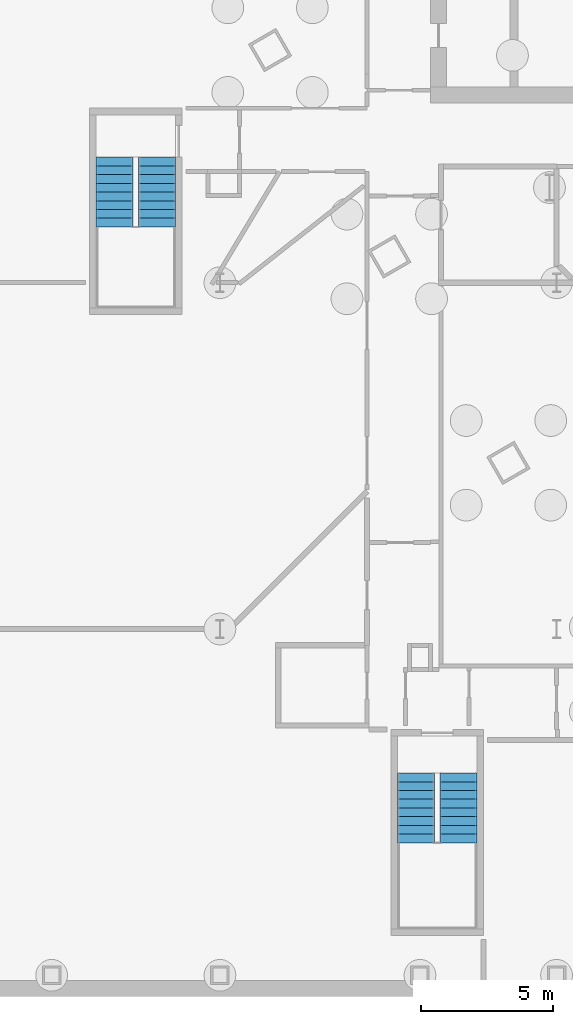
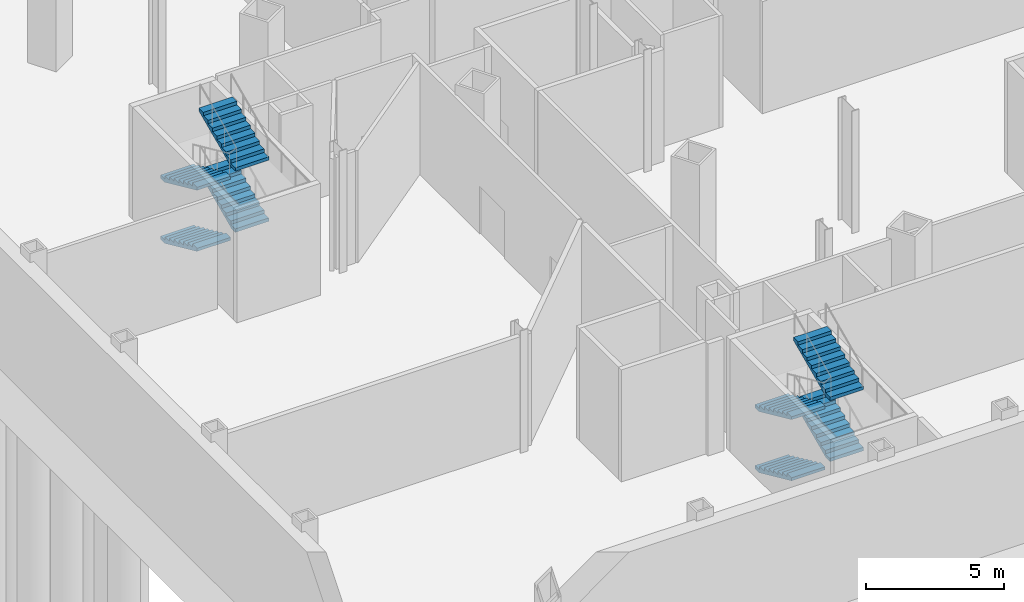
# One storey, part 13 of 19: 8 stair flights, 2 elements without a shape of their own.
"""IFC4 building model written with IfcOpenShell, lengths in metres."""

from ifc_helpers import new_model, si_unit, direction, frame, origin, place, context, subcontext, project, spatial, polygons, material, type_object, element, aggregate, save


model = new_model("IFC4")

# Units and contexts
model_context = context("Model", 3, precision=1e-05, world=origin(), true_north=direction((0.0, 1.0)))
body_context = subcontext(model_context, "Body", "Model", "MODEL_VIEW")
ifc_project = project(units=[si_unit("LENGTHUNIT", "METRE"), si_unit("AREAUNIT", "SQUARE_METRE"), si_unit("VOLUMEUNIT", "CUBIC_METRE"), si_unit("PLANEANGLEUNIT", "RADIAN"), si_unit("MASSUNIT", "GRAM", prefix="KILO")], contexts=[model_context])

# Site, building, storey
site_placement = place(None, origin())
site = spatial("IfcSite", under=ifc_project, at=site_placement, CompositionType="ELEMENT")
building_placement = place(site_placement, origin())
building = spatial("IfcBuilding", under=site, at=building_placement, Name="Njiva Tower", CompositionType="ELEMENT")
storey_placement = place(building_placement, frame((0.0, 0.0, -16.8)))
storey = spatial("IfcBuildingStorey", under=building, at=storey_placement, Name="B3", CompositionType="ELEMENT", Elevation=-16.8)

# Stair, stair flights
ifc_material = material(Name="Concrete C40/50", Category="concrete")
stair_type = type_object("IfcStairType", Name="ST2 Exit stair 1400", PredefinedType="HALF_TURN_STAIR", material=ifc_material)
stair_1_placement = place(storey_placement, origin())
stair_1 = element("IfcStair", 1, at=stair_1_placement, inside=storey, type_object=stair_type, Name="Stair D basement", PredefinedType="DOUBLE_RETURN_STAIR")
stair_flight_type = type_object("IfcStairFlightType", Name="FL2 Stair flight 1400", PredefinedType="STRAIGHT", material=ifc_material)
stair_flight_1_placement = place(storey_placement, frame((-18.05, -25.35, 0.0), z_axis=(0.0, 0.0, 1.0), x_axis=(0.0, -1.0, 0.0)))
stair_flight_1 = element("IfcStairFlight", 2, at=stair_flight_1_placement, type_object=stair_flight_type, Name="ST-DB flight 1", NumberOfRisers=9, NumberOfTreads=8, PredefinedType="STRAIGHT", RiserHeight=0.15, TreadLength=0.33, context=body_context, shape_type="Tessellation", body=[
    polygons([(0.0, 0.7, 0.0), (0.0, 0.35, 0.0), (0.0, 0.0, 0.0), (0.0, -0.35, 0.0), (0.0, -0.7, 0.0), (0.0, 0.7, 0.15), (0.0, 0.35, 0.15), (0.0, 0.0, 0.15), (0.0, -0.35, 0.15), (0.0, -0.7, 0.15), (0.33, 0.7, 0.15), (0.33, 0.35, 0.15), (0.33, 0.0, 0.15), (0.33, -0.35, 0.15), (0.33, -0.7, 0.15), (0.33, 0.7, 0.3), (0.33, 0.35, 0.3), (0.33, 0.0, 0.3), (0.33, -0.35, 0.3), (0.33, -0.7, 0.3), (0.66, 0.7, 0.3), (0.66, 0.35, 0.3), (0.66, 0.0, 0.3), (0.66, -0.35, 0.3), (0.66, -0.7, 0.3), (0.66, 0.7, 0.45), (0.66, 0.35, 0.45), (0.66, 0.0, 0.45), (0.66, -0.35, 0.45), (0.66, -0.7, 0.45), (0.99, 0.7, 0.45), (0.99, 0.35, 0.45), (0.99, 0.0, 0.45), (0.99, -0.35, 0.45), (0.99, -0.7, 0.45), (0.99, 0.7, 0.6), (0.99, 0.35, 0.6), (0.99, 0.0, 0.6), (0.99, -0.35, 0.6), (0.99, -0.7, 0.6), (1.32, 0.7, 0.6), (1.32, 0.35, 0.6), (1.32, 0.0, 0.6), (1.32, -0.35, 0.6), (1.32, -0.7, 0.6), (1.32, 0.7, 0.75), (1.32, 0.35, 0.75), (1.32, 0.0, 0.75), (1.32, -0.35, 0.75), (1.32, -0.7, 0.75), (1.65, 0.7, 0.75), (1.65, 0.35, 0.75), (1.65, 0.0, 0.75), (1.65, -0.35, 0.75), (1.65, -0.7, 0.75), (1.65, 0.7, 0.9), (1.65, 0.35, 0.9), (1.65, 0.0, 0.9), (1.65, -0.35, 0.9), (1.65, -0.7, 0.9), (1.98, 0.7, 0.9), (1.98, 0.35, 0.9), (1.98, 0.0, 0.9), (1.98, -0.35, 0.9), (1.98, -0.7, 0.9), (1.98, 0.7, 1.05), (1.98, 0.35, 1.05), (1.98, 0.0, 1.05), (1.98, -0.35, 1.05), (1.98, -0.7, 1.05), (2.31, 0.7, 1.05), (2.31, 0.35, 1.05), (2.31, 0.0, 1.05), (2.31, -0.35, 1.05), (2.31, -0.7, 1.05), (2.31, 0.7, 1.2), (2.31, 0.35, 1.2), (2.31, 0.0, 1.2), (2.31, -0.35, 1.2), (2.31, -0.7, 1.2), (2.64, 0.7, 1.2), (2.64, 0.35, 1.2), (2.64, 0.0, 1.2), (2.64, -0.35, 1.2), (2.64, -0.7, 1.2), (2.64, 0.7, 1.0682), (2.64, 0.35, 1.0682), (2.64, 0.0, 1.0682), (2.64, -0.35, 1.0682), (2.64, -0.7, 1.0682), (0.29, 0.7, 0.0), (0.29, 0.35, 0.0), (0.29, 0.0, 0.0), (0.29, -0.35, 0.0), (0.29, -0.7, 0.0)], [[[1, 6, 11, 16, 21, 26, 31, 36, 41, 46, 51, 56, 61, 66, 71, 76, 81, 86, 91]], [[95, 90, 85, 80, 75, 70, 65, 60, 55, 50, 45, 40, 35, 30, 25, 20, 15, 10, 5]], [[6, 1, 2, 7]], [[7, 2, 3, 8]], [[8, 3, 4, 9]], [[9, 4, 5, 10]], [[11, 6, 7, 12]], [[12, 7, 8, 13]], [[13, 8, 9, 14]], [[14, 9, 10, 15]], [[16, 11, 12, 17]], [[17, 12, 13, 18]], [[18, 13, 14, 19]], [[19, 14, 15, 20]], [[21, 16, 17, 22]], [[22, 17, 18, 23]], [[23, 18, 19, 24]], [[24, 19, 20, 25]], [[26, 21, 22, 27]], [[27, 22, 23, 28]], [[28, 23, 24, 29]], [[29, 24, 25, 30]], [[31, 26, 27, 32]], [[32, 27, 28, 33]], [[33, 28, 29, 34]], [[34, 29, 30, 35]], [[36, 31, 32, 37]], [[37, 32, 33, 38]], [[38, 33, 34, 39]], [[39, 34, 35, 40]], [[41, 36, 37, 42]], [[42, 37, 38, 43]], [[43, 38, 39, 44]], [[44, 39, 40, 45]], [[46, 41, 42, 47]], [[47, 42, 43, 48]], [[48, 43, 44, 49]], [[49, 44, 45, 50]], [[51, 46, 47, 52]], [[52, 47, 48, 53]], [[53, 48, 49, 54]], [[54, 49, 50, 55]], [[56, 51, 52, 57]], [[57, 52, 53, 58]], [[58, 53, 54, 59]], [[59, 54, 55, 60]], [[61, 56, 57, 62]], [[62, 57, 58, 63]], [[63, 58, 59, 64]], [[64, 59, 60, 65]], [[66, 61, 62, 67]], [[67, 62, 63, 68]], [[68, 63, 64, 69]], [[69, 64, 65, 70]], [[71, 66, 67, 72]], [[72, 67, 68, 73]], [[73, 68, 69, 74]], [[74, 69, 70, 75]], [[76, 71, 72, 77]], [[77, 72, 73, 78]], [[78, 73, 74, 79]], [[79, 74, 75, 80]], [[81, 76, 77, 82]], [[82, 77, 78, 83]], [[83, 78, 79, 84]], [[84, 79, 80, 85]], [[86, 81, 82, 87]], [[87, 82, 83, 88]], [[88, 83, 84, 89]], [[89, 84, 85, 90]], [[91, 86, 87, 92]], [[92, 87, 88, 93]], [[93, 88, 89, 94]], [[94, 89, 90, 95]], [[1, 91, 92, 2]], [[2, 92, 93, 3]], [[3, 93, 94, 4]], [[4, 94, 95, 5]]], closed=True),
])
stair_flight_2_placement = place(storey_placement, frame((-16.45, -27.99, 1.35), z_axis=(0.0, 0.0, 1.0), x_axis=(0.0, 1.0, 0.0)))
stair_flight_2 = element("IfcStairFlight", 3, at=stair_flight_2_placement, type_object=stair_flight_type, Name="ST-DB flight 2", NumberOfRisers=9, NumberOfTreads=8, PredefinedType="STRAIGHT", RiserHeight=0.15, TreadLength=0.33, context=body_context, shape_type="Tessellation", body=[
    polygons([(0.0, 0.7, 0.0), (0.0, 0.35, 0.0), (0.0, 0.0, 0.0), (0.0, -0.35, 0.0), (0.0, -0.7, 0.0), (0.0, 0.7, 0.15), (0.0, 0.35, 0.15), (0.0, 0.0, 0.15), (0.0, -0.35, 0.15), (0.0, -0.7, 0.15), (0.33, 0.7, 0.15), (0.33, 0.35, 0.15), (0.33, 0.0, 0.15), (0.33, -0.35, 0.15), (0.33, -0.7, 0.15), (0.33, 0.7, 0.3), (0.33, 0.35, 0.3), (0.33, 0.0, 0.3), (0.33, -0.35, 0.3), (0.33, -0.7, 0.3), (0.66, 0.7, 0.3), (0.66, 0.35, 0.3), (0.66, 0.0, 0.3), (0.66, -0.35, 0.3), (0.66, -0.7, 0.3), (0.66, 0.7, 0.45), (0.66, 0.35, 0.45), (0.66, 0.0, 0.45), (0.66, -0.35, 0.45), (0.66, -0.7, 0.45), (0.99, 0.7, 0.45), (0.99, 0.35, 0.45), (0.99, 0.0, 0.45), (0.99, -0.35, 0.45), (0.99, -0.7, 0.45), (0.99, 0.7, 0.6), (0.99, 0.35, 0.6), (0.99, 0.0, 0.6), (0.99, -0.35, 0.6), (0.99, -0.7, 0.6), (1.32, 0.7, 0.6), (1.32, 0.35, 0.6), (1.32, 0.0, 0.6), (1.32, -0.35, 0.6), (1.32, -0.7, 0.6), (1.32, 0.7, 0.75), (1.32, 0.35, 0.75), (1.32, 0.0, 0.75), (1.32, -0.35, 0.75), (1.32, -0.7, 0.75), (1.65, 0.7, 0.75), (1.65, 0.35, 0.75), (1.65, 0.0, 0.75), (1.65, -0.35, 0.75), (1.65, -0.7, 0.75), (1.65, 0.7, 0.9), (1.65, 0.35, 0.9), (1.65, 0.0, 0.9), (1.65, -0.35, 0.9), (1.65, -0.7, 0.9), (1.98, 0.7, 0.9), (1.98, 0.35, 0.9), (1.98, 0.0, 0.9), (1.98, -0.35, 0.9), (1.98, -0.7, 0.9), (1.98, 0.7, 1.05), (1.98, 0.35, 1.05), (1.98, 0.0, 1.05), (1.98, -0.35, 1.05), (1.98, -0.7, 1.05), (2.31, 0.7, 1.05), (2.31, 0.35, 1.05), (2.31, 0.0, 1.05), (2.31, -0.35, 1.05), (2.31, -0.7, 1.05), (2.31, 0.7, 1.2), (2.31, 0.35, 1.2), (2.31, 0.0, 1.2), (2.31, -0.35, 1.2), (2.31, -0.7, 1.2), (2.64, 0.7, 1.2), (2.64, 0.35, 1.2), (2.64, 0.0, 1.2), (2.64, -0.35, 1.2), (2.64, -0.7, 1.2), (2.64, 0.7, 1.0682), (2.64, 0.35, 1.0682), (2.64, 0.0, 1.0682), (2.64, -0.35, 1.0682), (2.64, -0.7, 1.0682), (0.29, 0.7, 0.0), (0.29, 0.35, 0.0), (0.29, 0.0, 0.0), (0.29, -0.35, 0.0), (0.29, -0.7, 0.0)], [[[1, 6, 11, 16, 21, 26, 31, 36, 41, 46, 51, 56, 61, 66, 71, 76, 81, 86, 91]], [[95, 90, 85, 80, 75, 70, 65, 60, 55, 50, 45, 40, 35, 30, 25, 20, 15, 10, 5]], [[6, 1, 2, 7]], [[7, 2, 3, 8]], [[8, 3, 4, 9]], [[9, 4, 5, 10]], [[11, 6, 7, 12]], [[12, 7, 8, 13]], [[13, 8, 9, 14]], [[14, 9, 10, 15]], [[16, 11, 12, 17]], [[17, 12, 13, 18]], [[18, 13, 14, 19]], [[19, 14, 15, 20]], [[21, 16, 17, 22]], [[22, 17, 18, 23]], [[23, 18, 19, 24]], [[24, 19, 20, 25]], [[26, 21, 22, 27]], [[27, 22, 23, 28]], [[28, 23, 24, 29]], [[29, 24, 25, 30]], [[31, 26, 27, 32]], [[32, 27, 28, 33]], [[33, 28, 29, 34]], [[34, 29, 30, 35]], [[36, 31, 32, 37]], [[37, 32, 33, 38]], [[38, 33, 34, 39]], [[39, 34, 35, 40]], [[41, 36, 37, 42]], [[42, 37, 38, 43]], [[43, 38, 39, 44]], [[44, 39, 40, 45]], [[46, 41, 42, 47]], [[47, 42, 43, 48]], [[48, 43, 44, 49]], [[49, 44, 45, 50]], [[51, 46, 47, 52]], [[52, 47, 48, 53]], [[53, 48, 49, 54]], [[54, 49, 50, 55]], [[56, 51, 52, 57]], [[57, 52, 53, 58]], [[58, 53, 54, 59]], [[59, 54, 55, 60]], [[61, 56, 57, 62]], [[62, 57, 58, 63]], [[63, 58, 59, 64]], [[64, 59, 60, 65]], [[66, 61, 62, 67]], [[67, 62, 63, 68]], [[68, 63, 64, 69]], [[69, 64, 65, 70]], [[71, 66, 67, 72]], [[72, 67, 68, 73]], [[73, 68, 69, 74]], [[74, 69, 70, 75]], [[76, 71, 72, 77]], [[77, 72, 73, 78]], [[78, 73, 74, 79]], [[79, 74, 75, 80]], [[81, 76, 77, 82]], [[82, 77, 78, 83]], [[83, 78, 79, 84]], [[84, 79, 80, 85]], [[86, 81, 82, 87]], [[87, 82, 83, 88]], [[88, 83, 84, 89]], [[89, 84, 85, 90]], [[91, 86, 87, 92]], [[92, 87, 88, 93]], [[93, 88, 89, 94]], [[94, 89, 90, 95]], [[1, 91, 92, 2]], [[2, 92, 93, 3]], [[3, 93, 94, 4]], [[4, 94, 95, 5]]], closed=True),
])
stair_flight_3_placement = place(storey_placement, frame((-18.05, -25.35, 2.7), z_axis=(0.0, 0.0, 1.0), x_axis=(0.0, -1.0, 0.0)))
stair_flight_3 = element("IfcStairFlight", 4, at=stair_flight_3_placement, type_object=stair_flight_type, Name="ST-DB flight 3", NumberOfRisers=9, NumberOfTreads=8, PredefinedType="STRAIGHT", RiserHeight=0.15, TreadLength=0.33, context=body_context, shape_type="Tessellation", body=[
    polygons([(0.0, 0.7, 0.0), (0.0, 0.35, 0.0), (0.0, 0.0, 0.0), (0.0, -0.35, 0.0), (0.0, -0.7, 0.0), (0.0, 0.7, 0.15), (0.0, 0.35, 0.15), (0.0, 0.0, 0.15), (0.0, -0.35, 0.15), (0.0, -0.7, 0.15), (0.33, 0.7, 0.15), (0.33, 0.35, 0.15), (0.33, 0.0, 0.15), (0.33, -0.35, 0.15), (0.33, -0.7, 0.15), (0.33, 0.7, 0.3), (0.33, 0.35, 0.3), (0.33, 0.0, 0.3), (0.33, -0.35, 0.3), (0.33, -0.7, 0.3), (0.66, 0.7, 0.3), (0.66, 0.35, 0.3), (0.66, 0.0, 0.3), (0.66, -0.35, 0.3), (0.66, -0.7, 0.3), (0.66, 0.7, 0.45), (0.66, 0.35, 0.45), (0.66, 0.0, 0.45), (0.66, -0.35, 0.45), (0.66, -0.7, 0.45), (0.99, 0.7, 0.45), (0.99, 0.35, 0.45), (0.99, 0.0, 0.45), (0.99, -0.35, 0.45), (0.99, -0.7, 0.45), (0.99, 0.7, 0.6), (0.99, 0.35, 0.6), (0.99, 0.0, 0.6), (0.99, -0.35, 0.6), (0.99, -0.7, 0.6), (1.32, 0.7, 0.6), (1.32, 0.35, 0.6), (1.32, 0.0, 0.6), (1.32, -0.35, 0.6), (1.32, -0.7, 0.6), (1.32, 0.7, 0.75), (1.32, 0.35, 0.75), (1.32, 0.0, 0.75), (1.32, -0.35, 0.75), (1.32, -0.7, 0.75), (1.65, 0.7, 0.75), (1.65, 0.35, 0.75), (1.65, 0.0, 0.75), (1.65, -0.35, 0.75), (1.65, -0.7, 0.75), (1.65, 0.7, 0.9), (1.65, 0.35, 0.9), (1.65, 0.0, 0.9), (1.65, -0.35, 0.9), (1.65, -0.7, 0.9), (1.98, 0.7, 0.9), (1.98, 0.35, 0.9), (1.98, 0.0, 0.9), (1.98, -0.35, 0.9), (1.98, -0.7, 0.9), (1.98, 0.7, 1.05), (1.98, 0.35, 1.05), (1.98, 0.0, 1.05), (1.98, -0.35, 1.05), (1.98, -0.7, 1.05), (2.31, 0.7, 1.05), (2.31, 0.35, 1.05), (2.31, 0.0, 1.05), (2.31, -0.35, 1.05), (2.31, -0.7, 1.05), (2.31, 0.7, 1.2), (2.31, 0.35, 1.2), (2.31, 0.0, 1.2), (2.31, -0.35, 1.2), (2.31, -0.7, 1.2), (2.64, 0.7, 1.2), (2.64, 0.35, 1.2), (2.64, 0.0, 1.2), (2.64, -0.35, 1.2), (2.64, -0.7, 1.2), (2.64, 0.7, 1.0682), (2.64, 0.35, 1.0682), (2.64, 0.0, 1.0682), (2.64, -0.35, 1.0682), (2.64, -0.7, 1.0682), (0.29, 0.7, 0.0), (0.29, 0.35, 0.0), (0.29, 0.0, 0.0), (0.29, -0.35, 0.0), (0.29, -0.7, 0.0)], [[[1, 6, 11, 16, 21, 26, 31, 36, 41, 46, 51, 56, 61, 66, 71, 76, 81, 86, 91]], [[95, 90, 85, 80, 75, 70, 65, 60, 55, 50, 45, 40, 35, 30, 25, 20, 15, 10, 5]], [[6, 1, 2, 7]], [[7, 2, 3, 8]], [[8, 3, 4, 9]], [[9, 4, 5, 10]], [[11, 6, 7, 12]], [[12, 7, 8, 13]], [[13, 8, 9, 14]], [[14, 9, 10, 15]], [[16, 11, 12, 17]], [[17, 12, 13, 18]], [[18, 13, 14, 19]], [[19, 14, 15, 20]], [[21, 16, 17, 22]], [[22, 17, 18, 23]], [[23, 18, 19, 24]], [[24, 19, 20, 25]], [[26, 21, 22, 27]], [[27, 22, 23, 28]], [[28, 23, 24, 29]], [[29, 24, 25, 30]], [[31, 26, 27, 32]], [[32, 27, 28, 33]], [[33, 28, 29, 34]], [[34, 29, 30, 35]], [[36, 31, 32, 37]], [[37, 32, 33, 38]], [[38, 33, 34, 39]], [[39, 34, 35, 40]], [[41, 36, 37, 42]], [[42, 37, 38, 43]], [[43, 38, 39, 44]], [[44, 39, 40, 45]], [[46, 41, 42, 47]], [[47, 42, 43, 48]], [[48, 43, 44, 49]], [[49, 44, 45, 50]], [[51, 46, 47, 52]], [[52, 47, 48, 53]], [[53, 48, 49, 54]], [[54, 49, 50, 55]], [[56, 51, 52, 57]], [[57, 52, 53, 58]], [[58, 53, 54, 59]], [[59, 54, 55, 60]], [[61, 56, 57, 62]], [[62, 57, 58, 63]], [[63, 58, 59, 64]], [[64, 59, 60, 65]], [[66, 61, 62, 67]], [[67, 62, 63, 68]], [[68, 63, 64, 69]], [[69, 64, 65, 70]], [[71, 66, 67, 72]], [[72, 67, 68, 73]], [[73, 68, 69, 74]], [[74, 69, 70, 75]], [[76, 71, 72, 77]], [[77, 72, 73, 78]], [[78, 73, 74, 79]], [[79, 74, 75, 80]], [[81, 76, 77, 82]], [[82, 77, 78, 83]], [[83, 78, 79, 84]], [[84, 79, 80, 85]], [[86, 81, 82, 87]], [[87, 82, 83, 88]], [[88, 83, 84, 89]], [[89, 84, 85, 90]], [[91, 86, 87, 92]], [[92, 87, 88, 93]], [[93, 88, 89, 94]], [[94, 89, 90, 95]], [[1, 91, 92, 2]], [[2, 92, 93, 3]], [[3, 93, 94, 4]], [[4, 94, 95, 5]]], closed=True),
])
stair_flight_4_placement = place(storey_placement, frame((-16.45, -27.99, 4.05), z_axis=(0.0, 0.0, 1.0), x_axis=(0.0, 1.0, 0.0)))
stair_flight_4 = element("IfcStairFlight", 5, at=stair_flight_4_placement, type_object=stair_flight_type, Name="ST-DB flight 4", NumberOfRisers=9, NumberOfTreads=8, PredefinedType="STRAIGHT", RiserHeight=0.15, TreadLength=0.33, context=body_context, shape_type="Tessellation", body=[
    polygons([(0.0, 0.7, 0.0), (0.0, 0.35, 0.0), (0.0, 0.0, 0.0), (0.0, -0.35, 0.0), (0.0, -0.7, 0.0), (0.0, 0.7, 0.15), (0.0, 0.35, 0.15), (0.0, 0.0, 0.15), (0.0, -0.35, 0.15), (0.0, -0.7, 0.15), (0.33, 0.7, 0.15), (0.33, 0.35, 0.15), (0.33, 0.0, 0.15), (0.33, -0.35, 0.15), (0.33, -0.7, 0.15), (0.33, 0.7, 0.3), (0.33, 0.35, 0.3), (0.33, 0.0, 0.3), (0.33, -0.35, 0.3), (0.33, -0.7, 0.3), (0.66, 0.7, 0.3), (0.66, 0.35, 0.3), (0.66, 0.0, 0.3), (0.66, -0.35, 0.3), (0.66, -0.7, 0.3), (0.66, 0.7, 0.45), (0.66, 0.35, 0.45), (0.66, 0.0, 0.45), (0.66, -0.35, 0.45), (0.66, -0.7, 0.45), (0.99, 0.7, 0.45), (0.99, 0.35, 0.45), (0.99, 0.0, 0.45), (0.99, -0.35, 0.45), (0.99, -0.7, 0.45), (0.99, 0.7, 0.6), (0.99, 0.35, 0.6), (0.99, 0.0, 0.6), (0.99, -0.35, 0.6), (0.99, -0.7, 0.6), (1.32, 0.7, 0.6), (1.32, 0.35, 0.6), (1.32, 0.0, 0.6), (1.32, -0.35, 0.6), (1.32, -0.7, 0.6), (1.32, 0.7, 0.75), (1.32, 0.35, 0.75), (1.32, 0.0, 0.75), (1.32, -0.35, 0.75), (1.32, -0.7, 0.75), (1.65, 0.7, 0.75), (1.65, 0.35, 0.75), (1.65, 0.0, 0.75), (1.65, -0.35, 0.75), (1.65, -0.7, 0.75), (1.65, 0.7, 0.9), (1.65, 0.35, 0.9), (1.65, 0.0, 0.9), (1.65, -0.35, 0.9), (1.65, -0.7, 0.9), (1.98, 0.7, 0.9), (1.98, 0.35, 0.9), (1.98, 0.0, 0.9), (1.98, -0.35, 0.9), (1.98, -0.7, 0.9), (1.98, 0.7, 1.05), (1.98, 0.35, 1.05), (1.98, 0.0, 1.05), (1.98, -0.35, 1.05), (1.98, -0.7, 1.05), (2.31, 0.7, 1.05), (2.31, 0.35, 1.05), (2.31, 0.0, 1.05), (2.31, -0.35, 1.05), (2.31, -0.7, 1.05), (2.31, 0.7, 1.2), (2.31, 0.35, 1.2), (2.31, 0.0, 1.2), (2.31, -0.35, 1.2), (2.31, -0.7, 1.2), (2.64, 0.7, 1.2), (2.64, 0.35, 1.2), (2.64, 0.0, 1.2), (2.64, -0.35, 1.2), (2.64, -0.7, 1.2), (2.64, 0.7, 1.0682), (2.64, 0.35, 1.0682), (2.64, 0.0, 1.0682), (2.64, -0.35, 1.0682), (2.64, -0.7, 1.0682), (0.29, 0.7, 0.0), (0.29, 0.35, 0.0), (0.29, 0.0, 0.0), (0.29, -0.35, 0.0), (0.29, -0.7, 0.0)], [[[1, 6, 11, 16, 21, 26, 31, 36, 41, 46, 51, 56, 61, 66, 71, 76, 81, 86, 91]], [[95, 90, 85, 80, 75, 70, 65, 60, 55, 50, 45, 40, 35, 30, 25, 20, 15, 10, 5]], [[6, 1, 2, 7]], [[7, 2, 3, 8]], [[8, 3, 4, 9]], [[9, 4, 5, 10]], [[11, 6, 7, 12]], [[12, 7, 8, 13]], [[13, 8, 9, 14]], [[14, 9, 10, 15]], [[16, 11, 12, 17]], [[17, 12, 13, 18]], [[18, 13, 14, 19]], [[19, 14, 15, 20]], [[21, 16, 17, 22]], [[22, 17, 18, 23]], [[23, 18, 19, 24]], [[24, 19, 20, 25]], [[26, 21, 22, 27]], [[27, 22, 23, 28]], [[28, 23, 24, 29]], [[29, 24, 25, 30]], [[31, 26, 27, 32]], [[32, 27, 28, 33]], [[33, 28, 29, 34]], [[34, 29, 30, 35]], [[36, 31, 32, 37]], [[37, 32, 33, 38]], [[38, 33, 34, 39]], [[39, 34, 35, 40]], [[41, 36, 37, 42]], [[42, 37, 38, 43]], [[43, 38, 39, 44]], [[44, 39, 40, 45]], [[46, 41, 42, 47]], [[47, 42, 43, 48]], [[48, 43, 44, 49]], [[49, 44, 45, 50]], [[51, 46, 47, 52]], [[52, 47, 48, 53]], [[53, 48, 49, 54]], [[54, 49, 50, 55]], [[56, 51, 52, 57]], [[57, 52, 53, 58]], [[58, 53, 54, 59]], [[59, 54, 55, 60]], [[61, 56, 57, 62]], [[62, 57, 58, 63]], [[63, 58, 59, 64]], [[64, 59, 60, 65]], [[66, 61, 62, 67]], [[67, 62, 63, 68]], [[68, 63, 64, 69]], [[69, 64, 65, 70]], [[71, 66, 67, 72]], [[72, 67, 68, 73]], [[73, 68, 69, 74]], [[74, 69, 70, 75]], [[76, 71, 72, 77]], [[77, 72, 73, 78]], [[78, 73, 74, 79]], [[79, 74, 75, 80]], [[81, 76, 77, 82]], [[82, 77, 78, 83]], [[83, 78, 79, 84]], [[84, 79, 80, 85]], [[86, 81, 82, 87]], [[87, 82, 83, 88]], [[88, 83, 84, 89]], [[89, 84, 85, 90]], [[91, 86, 87, 92]], [[92, 87, 88, 93]], [[93, 88, 89, 94]], [[94, 89, 90, 95]], [[1, 91, 92, 2]], [[2, 92, 93, 3]], [[3, 93, 94, 4]], [[4, 94, 95, 5]]], closed=True),
])
aggregate(stair_1, [stair_flight_1, stair_flight_2, stair_flight_3, stair_flight_4])

stair_2_placement = place(storey_placement, origin())
stair_2 = element("IfcStair", 6, at=stair_2_placement, inside=storey, type_object=stair_type, Name="Stair F basement", PredefinedType="DOUBLE_RETURN_STAIR")
stair_flight_5_placement = place(storey_placement, frame((-29.45, -2.05, 0.0), z_axis=(0.0, 0.0, 1.0), x_axis=(0.0, -1.0, 0.0)))
stair_flight_5 = element("IfcStairFlight", 7, at=stair_flight_5_placement, type_object=stair_flight_type, Name="ST-FB flight 1", NumberOfRisers=9, NumberOfTreads=8, PredefinedType="STRAIGHT", RiserHeight=0.15, TreadLength=0.33, context=body_context, shape_type="Tessellation", body=[
    polygons([(0.0, 0.7, 0.0), (0.0, 0.35, 0.0), (0.0, 0.0, 0.0), (0.0, -0.35, 0.0), (0.0, -0.7, 0.0), (0.0, 0.7, 0.15), (0.0, 0.35, 0.15), (0.0, 0.0, 0.15), (0.0, -0.35, 0.15), (0.0, -0.7, 0.15), (0.33, 0.7, 0.15), (0.33, 0.35, 0.15), (0.33, 0.0, 0.15), (0.33, -0.35, 0.15), (0.33, -0.7, 0.15), (0.33, 0.7, 0.3), (0.33, 0.35, 0.3), (0.33, 0.0, 0.3), (0.33, -0.35, 0.3), (0.33, -0.7, 0.3), (0.66, 0.7, 0.3), (0.66, 0.35, 0.3), (0.66, 0.0, 0.3), (0.66, -0.35, 0.3), (0.66, -0.7, 0.3), (0.66, 0.7, 0.45), (0.66, 0.35, 0.45), (0.66, 0.0, 0.45), (0.66, -0.35, 0.45), (0.66, -0.7, 0.45), (0.99, 0.7, 0.45), (0.99, 0.35, 0.45), (0.99, 0.0, 0.45), (0.99, -0.35, 0.45), (0.99, -0.7, 0.45), (0.99, 0.7, 0.6), (0.99, 0.35, 0.6), (0.99, 0.0, 0.6), (0.99, -0.35, 0.6), (0.99, -0.7, 0.6), (1.32, 0.7, 0.6), (1.32, 0.35, 0.6), (1.32, 0.0, 0.6), (1.32, -0.35, 0.6), (1.32, -0.7, 0.6), (1.32, 0.7, 0.75), (1.32, 0.35, 0.75), (1.32, 0.0, 0.75), (1.32, -0.35, 0.75), (1.32, -0.7, 0.75), (1.65, 0.7, 0.75), (1.65, 0.35, 0.75), (1.65, 0.0, 0.75), (1.65, -0.35, 0.75), (1.65, -0.7, 0.75), (1.65, 0.7, 0.9), (1.65, 0.35, 0.9), (1.65, 0.0, 0.9), (1.65, -0.35, 0.9), (1.65, -0.7, 0.9), (1.98, 0.7, 0.9), (1.98, 0.35, 0.9), (1.98, 0.0, 0.9), (1.98, -0.35, 0.9), (1.98, -0.7, 0.9), (1.98, 0.7, 1.05), (1.98, 0.35, 1.05), (1.98, 0.0, 1.05), (1.98, -0.35, 1.05), (1.98, -0.7, 1.05), (2.31, 0.7, 1.05), (2.31, 0.35, 1.05), (2.31, 0.0, 1.05), (2.31, -0.35, 1.05), (2.31, -0.7, 1.05), (2.31, 0.7, 1.2), (2.31, 0.35, 1.2), (2.31, 0.0, 1.2), (2.31, -0.35, 1.2), (2.31, -0.7, 1.2), (2.64, 0.7, 1.2), (2.64, 0.35, 1.2), (2.64, 0.0, 1.2), (2.64, -0.35, 1.2), (2.64, -0.7, 1.2), (2.64, 0.7, 1.0682), (2.64, 0.35, 1.0682), (2.64, 0.0, 1.0682), (2.64, -0.35, 1.0682), (2.64, -0.7, 1.0682), (0.29, 0.7, 0.0), (0.29, 0.35, 0.0), (0.29, 0.0, 0.0), (0.29, -0.35, 0.0), (0.29, -0.7, 0.0)], [[[1, 6, 11, 16, 21, 26, 31, 36, 41, 46, 51, 56, 61, 66, 71, 76, 81, 86, 91]], [[95, 90, 85, 80, 75, 70, 65, 60, 55, 50, 45, 40, 35, 30, 25, 20, 15, 10, 5]], [[6, 1, 2, 7]], [[7, 2, 3, 8]], [[8, 3, 4, 9]], [[9, 4, 5, 10]], [[11, 6, 7, 12]], [[12, 7, 8, 13]], [[13, 8, 9, 14]], [[14, 9, 10, 15]], [[16, 11, 12, 17]], [[17, 12, 13, 18]], [[18, 13, 14, 19]], [[19, 14, 15, 20]], [[21, 16, 17, 22]], [[22, 17, 18, 23]], [[23, 18, 19, 24]], [[24, 19, 20, 25]], [[26, 21, 22, 27]], [[27, 22, 23, 28]], [[28, 23, 24, 29]], [[29, 24, 25, 30]], [[31, 26, 27, 32]], [[32, 27, 28, 33]], [[33, 28, 29, 34]], [[34, 29, 30, 35]], [[36, 31, 32, 37]], [[37, 32, 33, 38]], [[38, 33, 34, 39]], [[39, 34, 35, 40]], [[41, 36, 37, 42]], [[42, 37, 38, 43]], [[43, 38, 39, 44]], [[44, 39, 40, 45]], [[46, 41, 42, 47]], [[47, 42, 43, 48]], [[48, 43, 44, 49]], [[49, 44, 45, 50]], [[51, 46, 47, 52]], [[52, 47, 48, 53]], [[53, 48, 49, 54]], [[54, 49, 50, 55]], [[56, 51, 52, 57]], [[57, 52, 53, 58]], [[58, 53, 54, 59]], [[59, 54, 55, 60]], [[61, 56, 57, 62]], [[62, 57, 58, 63]], [[63, 58, 59, 64]], [[64, 59, 60, 65]], [[66, 61, 62, 67]], [[67, 62, 63, 68]], [[68, 63, 64, 69]], [[69, 64, 65, 70]], [[71, 66, 67, 72]], [[72, 67, 68, 73]], [[73, 68, 69, 74]], [[74, 69, 70, 75]], [[76, 71, 72, 77]], [[77, 72, 73, 78]], [[78, 73, 74, 79]], [[79, 74, 75, 80]], [[81, 76, 77, 82]], [[82, 77, 78, 83]], [[83, 78, 79, 84]], [[84, 79, 80, 85]], [[86, 81, 82, 87]], [[87, 82, 83, 88]], [[88, 83, 84, 89]], [[89, 84, 85, 90]], [[91, 86, 87, 92]], [[92, 87, 88, 93]], [[93, 88, 89, 94]], [[94, 89, 90, 95]], [[1, 91, 92, 2]], [[2, 92, 93, 3]], [[3, 93, 94, 4]], [[4, 94, 95, 5]]], closed=True),
])
stair_flight_6_placement = place(storey_placement, frame((-27.85, -4.69, 1.35), z_axis=(0.0, 0.0, 1.0), x_axis=(0.0, 1.0, 0.0)))
stair_flight_6 = element("IfcStairFlight", 8, at=stair_flight_6_placement, type_object=stair_flight_type, Name="ST-FB flight 2", NumberOfRisers=9, NumberOfTreads=8, PredefinedType="STRAIGHT", RiserHeight=0.15, TreadLength=0.33, context=body_context, shape_type="Tessellation", body=[
    polygons([(0.0, 0.7, 0.0), (0.0, 0.35, 0.0), (0.0, 0.0, 0.0), (0.0, -0.35, 0.0), (0.0, -0.7, 0.0), (0.0, 0.7, 0.15), (0.0, 0.35, 0.15), (0.0, 0.0, 0.15), (0.0, -0.35, 0.15), (0.0, -0.7, 0.15), (0.33, 0.7, 0.15), (0.33, 0.35, 0.15), (0.33, 0.0, 0.15), (0.33, -0.35, 0.15), (0.33, -0.7, 0.15), (0.33, 0.7, 0.3), (0.33, 0.35, 0.3), (0.33, 0.0, 0.3), (0.33, -0.35, 0.3), (0.33, -0.7, 0.3), (0.66, 0.7, 0.3), (0.66, 0.35, 0.3), (0.66, 0.0, 0.3), (0.66, -0.35, 0.3), (0.66, -0.7, 0.3), (0.66, 0.7, 0.45), (0.66, 0.35, 0.45), (0.66, 0.0, 0.45), (0.66, -0.35, 0.45), (0.66, -0.7, 0.45), (0.99, 0.7, 0.45), (0.99, 0.35, 0.45), (0.99, 0.0, 0.45), (0.99, -0.35, 0.45), (0.99, -0.7, 0.45), (0.99, 0.7, 0.6), (0.99, 0.35, 0.6), (0.99, 0.0, 0.6), (0.99, -0.35, 0.6), (0.99, -0.7, 0.6), (1.32, 0.7, 0.6), (1.32, 0.35, 0.6), (1.32, 0.0, 0.6), (1.32, -0.35, 0.6), (1.32, -0.7, 0.6), (1.32, 0.7, 0.75), (1.32, 0.35, 0.75), (1.32, 0.0, 0.75), (1.32, -0.35, 0.75), (1.32, -0.7, 0.75), (1.65, 0.7, 0.75), (1.65, 0.35, 0.75), (1.65, 0.0, 0.75), (1.65, -0.35, 0.75), (1.65, -0.7, 0.75), (1.65, 0.7, 0.9), (1.65, 0.35, 0.9), (1.65, 0.0, 0.9), (1.65, -0.35, 0.9), (1.65, -0.7, 0.9), (1.98, 0.7, 0.9), (1.98, 0.35, 0.9), (1.98, 0.0, 0.9), (1.98, -0.35, 0.9), (1.98, -0.7, 0.9), (1.98, 0.7, 1.05), (1.98, 0.35, 1.05), (1.98, 0.0, 1.05), (1.98, -0.35, 1.05), (1.98, -0.7, 1.05), (2.31, 0.7, 1.05), (2.31, 0.35, 1.05), (2.31, 0.0, 1.05), (2.31, -0.35, 1.05), (2.31, -0.7, 1.05), (2.31, 0.7, 1.2), (2.31, 0.35, 1.2), (2.31, 0.0, 1.2), (2.31, -0.35, 1.2), (2.31, -0.7, 1.2), (2.64, 0.7, 1.2), (2.64, 0.35, 1.2), (2.64, 0.0, 1.2), (2.64, -0.35, 1.2), (2.64, -0.7, 1.2), (2.64, 0.7, 1.0682), (2.64, 0.35, 1.0682), (2.64, 0.0, 1.0682), (2.64, -0.35, 1.0682), (2.64, -0.7, 1.0682), (0.29, 0.7, 0.0), (0.29, 0.35, 0.0), (0.29, 0.0, 0.0), (0.29, -0.35, 0.0), (0.29, -0.7, 0.0)], [[[1, 6, 11, 16, 21, 26, 31, 36, 41, 46, 51, 56, 61, 66, 71, 76, 81, 86, 91]], [[95, 90, 85, 80, 75, 70, 65, 60, 55, 50, 45, 40, 35, 30, 25, 20, 15, 10, 5]], [[6, 1, 2, 7]], [[7, 2, 3, 8]], [[8, 3, 4, 9]], [[9, 4, 5, 10]], [[11, 6, 7, 12]], [[12, 7, 8, 13]], [[13, 8, 9, 14]], [[14, 9, 10, 15]], [[16, 11, 12, 17]], [[17, 12, 13, 18]], [[18, 13, 14, 19]], [[19, 14, 15, 20]], [[21, 16, 17, 22]], [[22, 17, 18, 23]], [[23, 18, 19, 24]], [[24, 19, 20, 25]], [[26, 21, 22, 27]], [[27, 22, 23, 28]], [[28, 23, 24, 29]], [[29, 24, 25, 30]], [[31, 26, 27, 32]], [[32, 27, 28, 33]], [[33, 28, 29, 34]], [[34, 29, 30, 35]], [[36, 31, 32, 37]], [[37, 32, 33, 38]], [[38, 33, 34, 39]], [[39, 34, 35, 40]], [[41, 36, 37, 42]], [[42, 37, 38, 43]], [[43, 38, 39, 44]], [[44, 39, 40, 45]], [[46, 41, 42, 47]], [[47, 42, 43, 48]], [[48, 43, 44, 49]], [[49, 44, 45, 50]], [[51, 46, 47, 52]], [[52, 47, 48, 53]], [[53, 48, 49, 54]], [[54, 49, 50, 55]], [[56, 51, 52, 57]], [[57, 52, 53, 58]], [[58, 53, 54, 59]], [[59, 54, 55, 60]], [[61, 56, 57, 62]], [[62, 57, 58, 63]], [[63, 58, 59, 64]], [[64, 59, 60, 65]], [[66, 61, 62, 67]], [[67, 62, 63, 68]], [[68, 63, 64, 69]], [[69, 64, 65, 70]], [[71, 66, 67, 72]], [[72, 67, 68, 73]], [[73, 68, 69, 74]], [[74, 69, 70, 75]], [[76, 71, 72, 77]], [[77, 72, 73, 78]], [[78, 73, 74, 79]], [[79, 74, 75, 80]], [[81, 76, 77, 82]], [[82, 77, 78, 83]], [[83, 78, 79, 84]], [[84, 79, 80, 85]], [[86, 81, 82, 87]], [[87, 82, 83, 88]], [[88, 83, 84, 89]], [[89, 84, 85, 90]], [[91, 86, 87, 92]], [[92, 87, 88, 93]], [[93, 88, 89, 94]], [[94, 89, 90, 95]], [[1, 91, 92, 2]], [[2, 92, 93, 3]], [[3, 93, 94, 4]], [[4, 94, 95, 5]]], closed=True),
])
stair_flight_7_placement = place(storey_placement, frame((-29.45, -2.05, 2.7), z_axis=(0.0, 0.0, 1.0), x_axis=(0.0, -1.0, 0.0)))
stair_flight_7 = element("IfcStairFlight", 9, at=stair_flight_7_placement, type_object=stair_flight_type, Name="ST-FB flight 3", NumberOfRisers=9, NumberOfTreads=8, PredefinedType="STRAIGHT", RiserHeight=0.15, TreadLength=0.33, context=body_context, shape_type="Tessellation", body=[
    polygons([(0.0, 0.7, 0.0), (0.0, 0.35, 0.0), (0.0, 0.0, 0.0), (0.0, -0.35, 0.0), (0.0, -0.7, 0.0), (0.0, 0.7, 0.15), (0.0, 0.35, 0.15), (0.0, 0.0, 0.15), (0.0, -0.35, 0.15), (0.0, -0.7, 0.15), (0.33, 0.7, 0.15), (0.33, 0.35, 0.15), (0.33, 0.0, 0.15), (0.33, -0.35, 0.15), (0.33, -0.7, 0.15), (0.33, 0.7, 0.3), (0.33, 0.35, 0.3), (0.33, 0.0, 0.3), (0.33, -0.35, 0.3), (0.33, -0.7, 0.3), (0.66, 0.7, 0.3), (0.66, 0.35, 0.3), (0.66, 0.0, 0.3), (0.66, -0.35, 0.3), (0.66, -0.7, 0.3), (0.66, 0.7, 0.45), (0.66, 0.35, 0.45), (0.66, 0.0, 0.45), (0.66, -0.35, 0.45), (0.66, -0.7, 0.45), (0.99, 0.7, 0.45), (0.99, 0.35, 0.45), (0.99, 0.0, 0.45), (0.99, -0.35, 0.45), (0.99, -0.7, 0.45), (0.99, 0.7, 0.6), (0.99, 0.35, 0.6), (0.99, 0.0, 0.6), (0.99, -0.35, 0.6), (0.99, -0.7, 0.6), (1.32, 0.7, 0.6), (1.32, 0.35, 0.6), (1.32, 0.0, 0.6), (1.32, -0.35, 0.6), (1.32, -0.7, 0.6), (1.32, 0.7, 0.75), (1.32, 0.35, 0.75), (1.32, 0.0, 0.75), (1.32, -0.35, 0.75), (1.32, -0.7, 0.75), (1.65, 0.7, 0.75), (1.65, 0.35, 0.75), (1.65, 0.0, 0.75), (1.65, -0.35, 0.75), (1.65, -0.7, 0.75), (1.65, 0.7, 0.9), (1.65, 0.35, 0.9), (1.65, 0.0, 0.9), (1.65, -0.35, 0.9), (1.65, -0.7, 0.9), (1.98, 0.7, 0.9), (1.98, 0.35, 0.9), (1.98, 0.0, 0.9), (1.98, -0.35, 0.9), (1.98, -0.7, 0.9), (1.98, 0.7, 1.05), (1.98, 0.35, 1.05), (1.98, 0.0, 1.05), (1.98, -0.35, 1.05), (1.98, -0.7, 1.05), (2.31, 0.7, 1.05), (2.31, 0.35, 1.05), (2.31, 0.0, 1.05), (2.31, -0.35, 1.05), (2.31, -0.7, 1.05), (2.31, 0.7, 1.2), (2.31, 0.35, 1.2), (2.31, 0.0, 1.2), (2.31, -0.35, 1.2), (2.31, -0.7, 1.2), (2.64, 0.7, 1.2), (2.64, 0.35, 1.2), (2.64, 0.0, 1.2), (2.64, -0.35, 1.2), (2.64, -0.7, 1.2), (2.64, 0.7, 1.0682), (2.64, 0.35, 1.0682), (2.64, 0.0, 1.0682), (2.64, -0.35, 1.0682), (2.64, -0.7, 1.0682), (0.29, 0.7, 0.0), (0.29, 0.35, 0.0), (0.29, 0.0, 0.0), (0.29, -0.35, 0.0), (0.29, -0.7, 0.0)], [[[1, 6, 11, 16, 21, 26, 31, 36, 41, 46, 51, 56, 61, 66, 71, 76, 81, 86, 91]], [[95, 90, 85, 80, 75, 70, 65, 60, 55, 50, 45, 40, 35, 30, 25, 20, 15, 10, 5]], [[6, 1, 2, 7]], [[7, 2, 3, 8]], [[8, 3, 4, 9]], [[9, 4, 5, 10]], [[11, 6, 7, 12]], [[12, 7, 8, 13]], [[13, 8, 9, 14]], [[14, 9, 10, 15]], [[16, 11, 12, 17]], [[17, 12, 13, 18]], [[18, 13, 14, 19]], [[19, 14, 15, 20]], [[21, 16, 17, 22]], [[22, 17, 18, 23]], [[23, 18, 19, 24]], [[24, 19, 20, 25]], [[26, 21, 22, 27]], [[27, 22, 23, 28]], [[28, 23, 24, 29]], [[29, 24, 25, 30]], [[31, 26, 27, 32]], [[32, 27, 28, 33]], [[33, 28, 29, 34]], [[34, 29, 30, 35]], [[36, 31, 32, 37]], [[37, 32, 33, 38]], [[38, 33, 34, 39]], [[39, 34, 35, 40]], [[41, 36, 37, 42]], [[42, 37, 38, 43]], [[43, 38, 39, 44]], [[44, 39, 40, 45]], [[46, 41, 42, 47]], [[47, 42, 43, 48]], [[48, 43, 44, 49]], [[49, 44, 45, 50]], [[51, 46, 47, 52]], [[52, 47, 48, 53]], [[53, 48, 49, 54]], [[54, 49, 50, 55]], [[56, 51, 52, 57]], [[57, 52, 53, 58]], [[58, 53, 54, 59]], [[59, 54, 55, 60]], [[61, 56, 57, 62]], [[62, 57, 58, 63]], [[63, 58, 59, 64]], [[64, 59, 60, 65]], [[66, 61, 62, 67]], [[67, 62, 63, 68]], [[68, 63, 64, 69]], [[69, 64, 65, 70]], [[71, 66, 67, 72]], [[72, 67, 68, 73]], [[73, 68, 69, 74]], [[74, 69, 70, 75]], [[76, 71, 72, 77]], [[77, 72, 73, 78]], [[78, 73, 74, 79]], [[79, 74, 75, 80]], [[81, 76, 77, 82]], [[82, 77, 78, 83]], [[83, 78, 79, 84]], [[84, 79, 80, 85]], [[86, 81, 82, 87]], [[87, 82, 83, 88]], [[88, 83, 84, 89]], [[89, 84, 85, 90]], [[91, 86, 87, 92]], [[92, 87, 88, 93]], [[93, 88, 89, 94]], [[94, 89, 90, 95]], [[1, 91, 92, 2]], [[2, 92, 93, 3]], [[3, 93, 94, 4]], [[4, 94, 95, 5]]], closed=True),
])
stair_flight_8_placement = place(storey_placement, frame((-27.85, -4.69, 4.05), z_axis=(0.0, 0.0, 1.0), x_axis=(0.0, 1.0, 0.0)))
stair_flight_8 = element("IfcStairFlight", 10, at=stair_flight_8_placement, type_object=stair_flight_type, Name="ST-FB flight 4", NumberOfRisers=9, NumberOfTreads=8, PredefinedType="STRAIGHT", RiserHeight=0.15, TreadLength=0.33, context=body_context, shape_type="Tessellation", body=[
    polygons([(0.0, 0.7, 0.0), (0.0, 0.35, 0.0), (0.0, 0.0, 0.0), (0.0, -0.35, 0.0), (0.0, -0.7, 0.0), (0.0, 0.7, 0.15), (0.0, 0.35, 0.15), (0.0, 0.0, 0.15), (0.0, -0.35, 0.15), (0.0, -0.7, 0.15), (0.33, 0.7, 0.15), (0.33, 0.35, 0.15), (0.33, 0.0, 0.15), (0.33, -0.35, 0.15), (0.33, -0.7, 0.15), (0.33, 0.7, 0.3), (0.33, 0.35, 0.3), (0.33, 0.0, 0.3), (0.33, -0.35, 0.3), (0.33, -0.7, 0.3), (0.66, 0.7, 0.3), (0.66, 0.35, 0.3), (0.66, 0.0, 0.3), (0.66, -0.35, 0.3), (0.66, -0.7, 0.3), (0.66, 0.7, 0.45), (0.66, 0.35, 0.45), (0.66, 0.0, 0.45), (0.66, -0.35, 0.45), (0.66, -0.7, 0.45), (0.99, 0.7, 0.45), (0.99, 0.35, 0.45), (0.99, 0.0, 0.45), (0.99, -0.35, 0.45), (0.99, -0.7, 0.45), (0.99, 0.7, 0.6), (0.99, 0.35, 0.6), (0.99, 0.0, 0.6), (0.99, -0.35, 0.6), (0.99, -0.7, 0.6), (1.32, 0.7, 0.6), (1.32, 0.35, 0.6), (1.32, 0.0, 0.6), (1.32, -0.35, 0.6), (1.32, -0.7, 0.6), (1.32, 0.7, 0.75), (1.32, 0.35, 0.75), (1.32, 0.0, 0.75), (1.32, -0.35, 0.75), (1.32, -0.7, 0.75), (1.65, 0.7, 0.75), (1.65, 0.35, 0.75), (1.65, 0.0, 0.75), (1.65, -0.35, 0.75), (1.65, -0.7, 0.75), (1.65, 0.7, 0.9), (1.65, 0.35, 0.9), (1.65, 0.0, 0.9), (1.65, -0.35, 0.9), (1.65, -0.7, 0.9), (1.98, 0.7, 0.9), (1.98, 0.35, 0.9), (1.98, 0.0, 0.9), (1.98, -0.35, 0.9), (1.98, -0.7, 0.9), (1.98, 0.7, 1.05), (1.98, 0.35, 1.05), (1.98, 0.0, 1.05), (1.98, -0.35, 1.05), (1.98, -0.7, 1.05), (2.31, 0.7, 1.05), (2.31, 0.35, 1.05), (2.31, 0.0, 1.05), (2.31, -0.35, 1.05), (2.31, -0.7, 1.05), (2.31, 0.7, 1.2), (2.31, 0.35, 1.2), (2.31, 0.0, 1.2), (2.31, -0.35, 1.2), (2.31, -0.7, 1.2), (2.64, 0.7, 1.2), (2.64, 0.35, 1.2), (2.64, 0.0, 1.2), (2.64, -0.35, 1.2), (2.64, -0.7, 1.2), (2.64, 0.7, 1.0682), (2.64, 0.35, 1.0682), (2.64, 0.0, 1.0682), (2.64, -0.35, 1.0682), (2.64, -0.7, 1.0682), (0.29, 0.7, 0.0), (0.29, 0.35, 0.0), (0.29, 0.0, 0.0), (0.29, -0.35, 0.0), (0.29, -0.7, 0.0)], [[[1, 6, 11, 16, 21, 26, 31, 36, 41, 46, 51, 56, 61, 66, 71, 76, 81, 86, 91]], [[95, 90, 85, 80, 75, 70, 65, 60, 55, 50, 45, 40, 35, 30, 25, 20, 15, 10, 5]], [[6, 1, 2, 7]], [[7, 2, 3, 8]], [[8, 3, 4, 9]], [[9, 4, 5, 10]], [[11, 6, 7, 12]], [[12, 7, 8, 13]], [[13, 8, 9, 14]], [[14, 9, 10, 15]], [[16, 11, 12, 17]], [[17, 12, 13, 18]], [[18, 13, 14, 19]], [[19, 14, 15, 20]], [[21, 16, 17, 22]], [[22, 17, 18, 23]], [[23, 18, 19, 24]], [[24, 19, 20, 25]], [[26, 21, 22, 27]], [[27, 22, 23, 28]], [[28, 23, 24, 29]], [[29, 24, 25, 30]], [[31, 26, 27, 32]], [[32, 27, 28, 33]], [[33, 28, 29, 34]], [[34, 29, 30, 35]], [[36, 31, 32, 37]], [[37, 32, 33, 38]], [[38, 33, 34, 39]], [[39, 34, 35, 40]], [[41, 36, 37, 42]], [[42, 37, 38, 43]], [[43, 38, 39, 44]], [[44, 39, 40, 45]], [[46, 41, 42, 47]], [[47, 42, 43, 48]], [[48, 43, 44, 49]], [[49, 44, 45, 50]], [[51, 46, 47, 52]], [[52, 47, 48, 53]], [[53, 48, 49, 54]], [[54, 49, 50, 55]], [[56, 51, 52, 57]], [[57, 52, 53, 58]], [[58, 53, 54, 59]], [[59, 54, 55, 60]], [[61, 56, 57, 62]], [[62, 57, 58, 63]], [[63, 58, 59, 64]], [[64, 59, 60, 65]], [[66, 61, 62, 67]], [[67, 62, 63, 68]], [[68, 63, 64, 69]], [[69, 64, 65, 70]], [[71, 66, 67, 72]], [[72, 67, 68, 73]], [[73, 68, 69, 74]], [[74, 69, 70, 75]], [[76, 71, 72, 77]], [[77, 72, 73, 78]], [[78, 73, 74, 79]], [[79, 74, 75, 80]], [[81, 76, 77, 82]], [[82, 77, 78, 83]], [[83, 78, 79, 84]], [[84, 79, 80, 85]], [[86, 81, 82, 87]], [[87, 82, 83, 88]], [[88, 83, 84, 89]], [[89, 84, 85, 90]], [[91, 86, 87, 92]], [[92, 87, 88, 93]], [[93, 88, 89, 94]], [[94, 89, 90, 95]], [[1, 91, 92, 2]], [[2, 92, 93, 3]], [[3, 93, 94, 4]], [[4, 94, 95, 5]]], closed=True),
])
aggregate(stair_2, [stair_flight_5, stair_flight_6, stair_flight_7, stair_flight_8])

save(model, "model.ifc")
